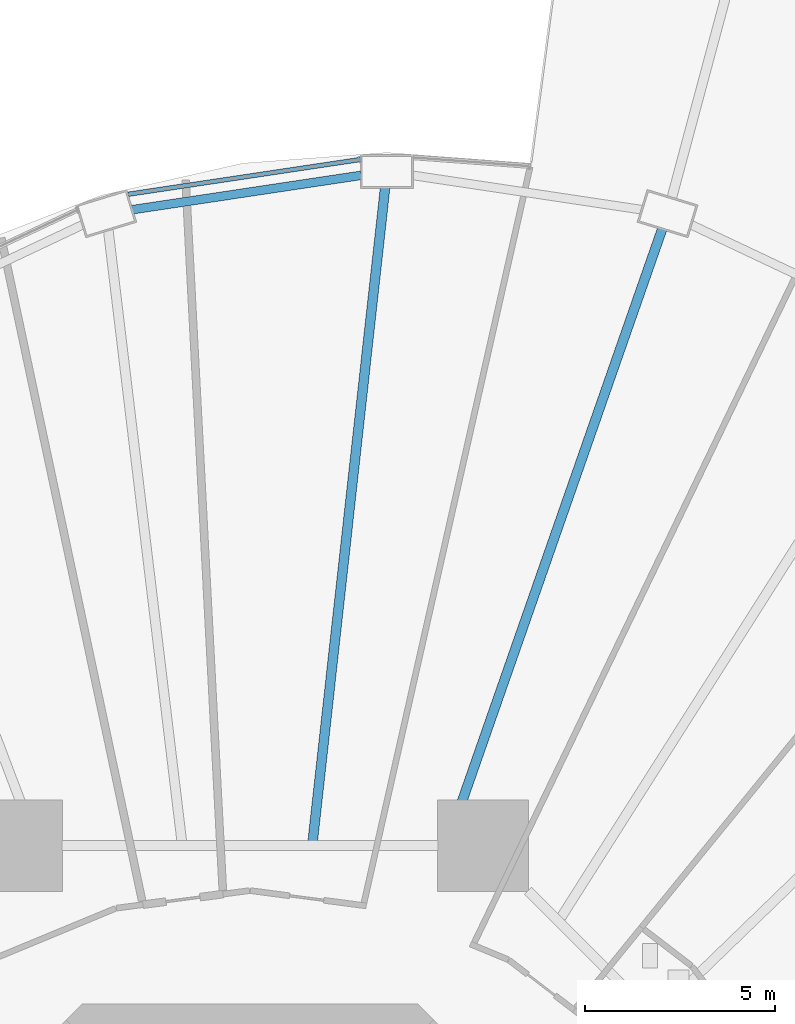
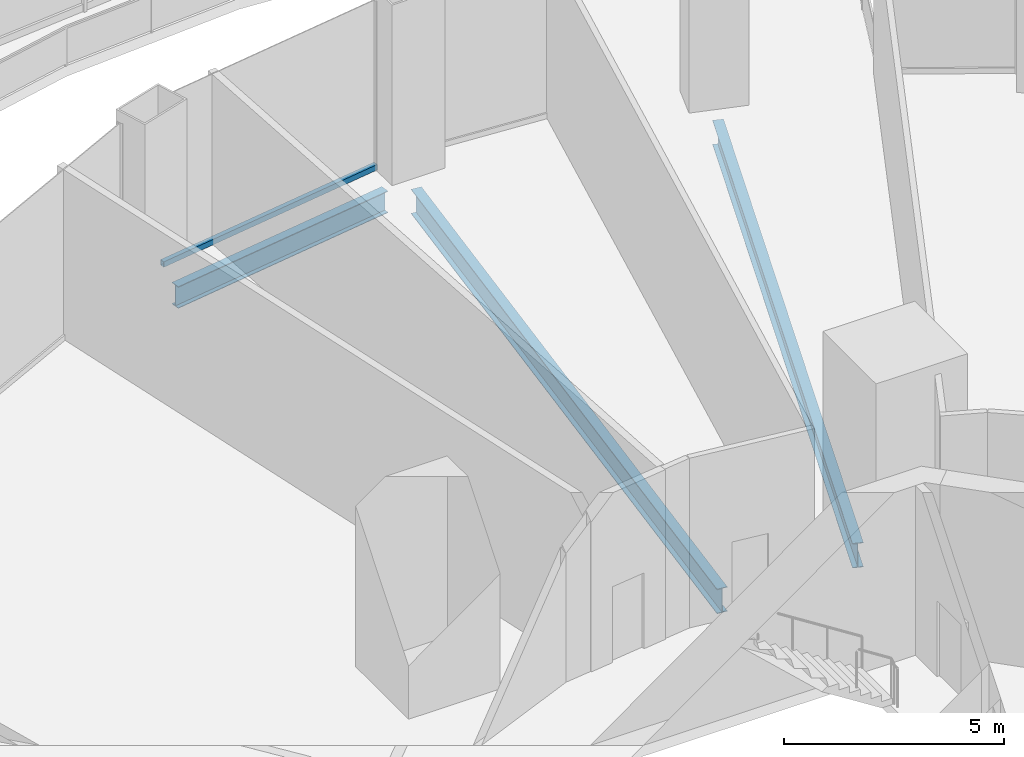
# One storey, part 33 of 47: 3 beams, 1 member, 1 element without a shape of its own.
"""IFC4 building model written with IfcOpenShell, lengths in metres."""

import ifcopenshell
import ifcopenshell.guid

model = None  # the IFC model being written
_history = None  # IfcOwnerHistory: only IFC2X3 demands one
_inside = {}  # id of a spatial element -> (the spatial element, [elements in it])
_under = {}  # id of a project, library or spatial element -> (it, [spatial elements below it])
_declared = {}  # id of a project -> (the project, [libraries it declares])
_typed = {}  # id of a type object -> (the type object, [elements of that type])
_made_of = {}  # id of a material, layer set ... -> (it, [elements and type objects made of it])


def new_model(schema):
    """Start an empty IFC model of exactly this schema.

    Asked for "IFC4X3", IfcOpenShell would pick the latest addendum, in which some entities
    have other attributes; the version numbers below select the first issue.
    IFC2X3 requires an IfcOwnerHistory on every rooted entity: one is made here for all.
    """
    global model, _history
    if schema == "IFC4X3":
        model = ifcopenshell.file(schema_version=(4, 3, 0, 0))
    else:
        model = ifcopenshell.file(schema=schema)
    _inside.clear()
    _under.clear()
    _declared.clear()
    _typed.clear()
    _made_of.clear()
    _history = None
    if model.schema == "IFC2X3":
        org = make("IfcOrganization", Name="unknown")
        user = make(
            "IfcPersonAndOrganization",
            ThePerson=make("IfcPerson", FamilyName="unknown"),
            TheOrganization=org,
        )
        app = make(
            "IfcApplication",
            ApplicationDeveloper=org,
            Version="unknown",
            ApplicationFullName="unknown",
            ApplicationIdentifier="unknown",
        )
        _history = make(
            "IfcOwnerHistory",
            OwningUser=user,
            OwningApplication=app,
            ChangeAction="ADDED",
            CreationDate=0,
        )
    return model


def make(cls, **values):
    """One entity of the class cls with the attributes given. An attribute that is None is left unset."""
    return model.create_entity(
        cls, **{name: value for name, value in values.items() if value is not None}
    )


def rooted(cls, **values):
    """An entity with a GlobalId (a new one), such as an element, a storey or a relation."""
    return make(cls, GlobalId=ifcopenshell.guid.new(), OwnerHistory=_history, **values)


def si_unit(unit_type, name, prefix=None):
    """IfcSIUnit, for example si_unit("LENGTHUNIT", "METRE", prefix="MILLI")."""
    return make("IfcSIUnit", UnitType=unit_type, Prefix=prefix, Name=name)


def assignment(units):
    """IfcUnitAssignment: the units of a project."""
    return None if units is None else make("IfcUnitAssignment", Units=units)


def point(xyz):
    """IfcCartesianPoint."""
    return None if xyz is None else make("IfcCartesianPoint", Coordinates=xyz)


def direction(xyz):
    """IfcDirection."""
    return None if xyz is None else make("IfcDirection", DirectionRatios=xyz)


def frame(location, z_axis=None, x_axis=None):
    """IfcAxis2Placement3D, a coordinate frame: its origin and axes. An axis left out is left unset."""
    return make(
        "IfcAxis2Placement3D",
        Location=point(location),
        Axis=direction(z_axis),
        RefDirection=direction(x_axis),
    )


def frame_2d(location, x_axis=None):
    """IfcAxis2Placement2D, a coordinate frame in the plane: its origin and x axis."""
    return make(
        "IfcAxis2Placement2D", Location=point(location), RefDirection=direction(x_axis)
    )


def origin():
    """The frame at (0, 0, 0) with its axes left unset."""
    return frame((0.0, 0.0, 0.0))


def origin_2d():
    """The frame at (0, 0) in the plane with its x axis left unset."""
    return frame_2d((0.0, 0.0))


def place(relative_to, where):
    """IfcLocalPlacement: puts the frame where relative to a parent placement (None: the world)."""
    return make(
        "IfcLocalPlacement", PlacementRelTo=relative_to, RelativePlacement=where
    )


def context(
    kind, dimensions, precision=None, world=None, true_north=None, identifier=None
):
    """IfcGeometricRepresentationContext, for example the 3D "Model" context."""
    return make(
        "IfcGeometricRepresentationContext",
        ContextIdentifier=identifier,
        ContextType=kind,
        CoordinateSpaceDimension=dimensions,
        Precision=precision,
        WorldCoordinateSystem=world,
        TrueNorth=true_north,
    )


def subcontext(parent, identifier, kind, view, scale=None):
    """IfcGeometricRepresentationSubContext, for example "Body" below "Model"."""
    return make(
        "IfcGeometricRepresentationSubContext",
        ContextIdentifier=identifier,
        ContextType=kind,
        ParentContext=parent,
        TargetScale=scale,
        TargetView=view,
    )


def project(units=None, contexts=None):
    """IfcProject with its units and contexts."""
    return rooted(
        "IfcProject",
        Name="project",
        RepresentationContexts=contexts,
        UnitsInContext=assignment(units),
    )


def spatial(cls, under=None, at=None, **own):
    """A site, building, storey or space (cls), placed at a placement, below another one or the project."""
    s = rooted(cls, ObjectPlacement=at, **own)
    if under is not None:
        _under.setdefault(under.id(), (under, []))[1].append(s)
    return s


def profile(cls, at=None, kind="AREA", **sizes):
    """A parametric profile (cls). Its sizes go by their IFC names, for example OverallWidth=200.0."""
    return make(cls, ProfileType=kind, Position=at, **sizes)


def hollow_rectangle(**sizes):
    """IfcRectangleHollowProfileDef."""
    return profile("IfcRectangleHollowProfileDef", **sizes)


def i_section(**sizes):
    """IfcIShapeProfileDef."""
    return profile("IfcIShapeProfileDef", **sizes)


def extrude(swept, where, along, depth):
    """IfcExtrudedAreaSolid: the profile swept, set in the frame where, extruded along a direction by depth."""
    return make(
        "IfcExtrudedAreaSolid",
        SweptArea=swept,
        Position=where,
        ExtrudedDirection=direction(along),
        Depth=depth,
    )


def shape(context_of_items, identifier, shape_type, items):
    """IfcShapeRepresentation: the items that make up one representation, for example the "Body"."""
    return make(
        "IfcShapeRepresentation",
        ContextOfItems=context_of_items,
        RepresentationIdentifier=identifier,
        RepresentationType=shape_type,
        Items=items,
    )


def material(Name=None, Category=None):
    """IfcMaterial."""
    return make("IfcMaterial", Name=Name, Category=Category)


def layer(
    of_material, thickness, ventilated=None, Name=None, Category=None, Priority=None
):
    """IfcMaterialLayer: one layer of a wall or slab, of a material (None: an air gap)."""
    return make(
        "IfcMaterialLayer",
        Material=of_material,
        LayerThickness=thickness,
        IsVentilated=ventilated,
        Name=Name,
        Category=Category,
        Priority=Priority,
    )


def layer_set(layers, Name=None):
    """IfcMaterialLayerSet."""
    return make("IfcMaterialLayerSet", MaterialLayers=layers, LayerSetName=Name)


def material_profile(
    of_material, cross_section, Name=None, Category=None, Priority=None
):
    """IfcMaterialProfile: a cross section and its material."""
    return make(
        "IfcMaterialProfile",
        Name=Name,
        Material=of_material,
        Profile=cross_section,
        Priority=Priority,
        Category=Category,
    )


def profile_set(profiles, Name=None, composite=None):
    """IfcMaterialProfileSet."""
    return make(
        "IfcMaterialProfileSet",
        Name=Name,
        MaterialProfiles=profiles,
        CompositeProfile=composite,
    )


def made_of(thing, what):
    """Note that an element or type object is made of a material, layer set ...; save() writes the relation."""
    if what is not None:
        _made_of.setdefault(what.id(), (what, []))[1].append(thing)
    return thing


def type_object(cls, material=None, **own):
    """A type object (cls), such as IfcWallType, which elements share."""
    return made_of(rooted(cls, **own), material)


def element(
    cls,
    number,
    at=None,
    inside=None,
    cuts=None,
    type_object=None,
    material=None,
    context=None,
    identifier="Body",
    shape_type=None,
    held_by="IfcProductDefinitionShape",
    body=None,
    shapes=None,
    **own,
):
    """One element of the class cls, such as IfcWall. Its Tag is "e" and its number.

    at: its placement. inside: the storey or other place that contains it. cuts: it is an
    opening in that element (IfcRelVoidsElement). A single representation is given by context,
    identifier, shape_type and body (its items); several are given by shapes. held_by: the class
    of the entity that holds the representations. save() writes the other relations.
    """
    e = rooted(cls, Tag="e%d" % number, ObjectPlacement=at, **own)
    if body is not None:
        shapes = [shape(context, identifier, shape_type, body)]
    if shapes is not None:
        e.Representation = make(held_by, Representations=shapes)
    if inside is not None:
        _inside.setdefault(inside.id(), (inside, []))[1].append(e)
    if cuts is not None:
        rooted(
            "IfcRelVoidsElement", RelatingBuildingElement=cuts, RelatedOpeningElement=e
        )
    if type_object is not None:
        _typed.setdefault(type_object.id(), (type_object, []))[1].append(e)
    return made_of(e, material)


def aggregate(whole, parts):
    """IfcRelAggregates: a whole, such as a stair, and the parts it consists of."""
    return rooted("IfcRelAggregates", RelatingObject=whole, RelatedObjects=parts)


def save(model, path):
    """Write the relations noted so far, then the file.

    IfcRelAggregates (storeys below a building ...), IfcRelContainedInSpatialStructure (elements
    in a storey), IfcRelDefinesByType, IfcRelAssociatesMaterial and IfcRelDeclares: one each for
    every whole, place, type object, material and project.
    """
    for whole, parts in _under.values():
        aggregate(whole, parts)
    for where, things in _inside.values():
        rooted(
            "IfcRelContainedInSpatialStructure",
            RelatedElements=things,
            RelatingStructure=where,
        )
    for kind, things in _typed.values():
        rooted("IfcRelDefinesByType", RelatedObjects=things, RelatingType=kind)
    for what, things in _made_of.values():
        rooted("IfcRelAssociatesMaterial", RelatedObjects=things, RelatingMaterial=what)
    for by, libraries in _declared.values():
        rooted("IfcRelDeclares", RelatingContext=by, RelatedDefinitions=libraries)
    model.write(path)


model = new_model("IFC4")

# Units and contexts
model_context = context("Model", 3, precision=1e-05, world=origin(), true_north=direction((0.0, 1.0)))
body_context = subcontext(model_context, "Body", "Model", "MODEL_VIEW")
ifc_project = project(units=[si_unit("LENGTHUNIT", "METRE"), si_unit("AREAUNIT", "SQUARE_METRE"), si_unit("VOLUMEUNIT", "CUBIC_METRE"), si_unit("PLANEANGLEUNIT", "RADIAN"), si_unit("MASSUNIT", "GRAM", prefix="KILO")], contexts=[model_context])

# Site, building, storey
site_placement = place(None, origin())
site = spatial("IfcSite", under=ifc_project, at=site_placement, CompositionType="ELEMENT")
building_placement = place(site_placement, origin())
building = spatial("IfcBuilding", under=site, at=building_placement, Name="Nagisa Residences", CompositionType="ELEMENT")
storey_placement = place(building_placement, frame((0.0, 0.0, 17.0)))
storey = spatial("IfcBuildingStorey", under=building, at=storey_placement, Name="L03", CompositionType="ELEMENT", Elevation=17.0)

# Curtain wall, member
ifc_material_1 = material(Name="Stainless steel curtain wall system", Category="steel")
ifc_layer = layer(ifc_material_1, 0.159912109375)
ifc_layer_set = layer_set([ifc_layer], Name="CW6 CURTAIN WALL")
curtain_wall_type = type_object("IfcCurtainWallType", Name="CW6 CURTAIN WALL", PredefinedType="NOTDEFINED", material=ifc_layer_set)
curtain_wall_placement = place(storey_placement, origin())
curtain_wall = element("IfcCurtainWall", 1, at=curtain_wall_placement, inside=storey, type_object=curtain_wall_type, Name="cw:CW6:L03:12", PredefinedType="NOTDEFINED")
ifc_material_2 = material(Name="Stainless steel", Category="steel")
ifc_material_profile_1 = material_profile(ifc_material_2, hollow_rectangle(XDim=0.1201171875, YDim=0.14990234375, WallThickness=0.008056640625, at=origin_2d()), Name="CW6 TRANSOM 120x150")
ifc_profile_set_1 = profile_set([ifc_material_profile_1], Name="Stainless steel")
member_type = type_object("IfcMemberType", Name="CW6 TRANSOM 120x150", PredefinedType="USERDEFINED", material=ifc_profile_set_1)
member_placement = place(storey_placement, frame((2.919677734375, 32.817138671875, 0.074951171875), z_axis=(-0.988964976725, -0.148149501559, 0.0), x_axis=(0.148149501559, -0.988964976725, 0.0)))
member = element("IfcMember", 2, at=member_placement, type_object=member_type, Name="CW6 transom", ObjectType="TRANSOM", PredefinedType="USERDEFINED", context=body_context, shape_type="SweptSolid", body=[
    extrude(hollow_rectangle(XDim=0.1201171875, YDim=0.14990234375, WallThickness=0.008056640625, at=origin_2d()), origin(), (0.0, 0.0, 1.0), 6.189697265625),
])
aggregate(curtain_wall, [member])

# Beams
ifc_material_3 = material(Name="Steel ASTM A572 Gr 50", Category="steel")
ifc_material_profile_2 = material_profile(ifc_material_3, i_section(OverallWidth=0.22802734375, OverallDepth=0.60302734375, WebThickness=0.010498046875, FlangeThickness=0.014892578125, at=origin_2d()), Name="W610x101")
ifc_profile_set_2 = profile_set([ifc_material_profile_2], Name="Steel ASTM A572 Gr 50")
beam_type_1 = type_object("IfcBeamType", Name="Perimeter ring beam W610x101", PredefinedType="BEAM", material=ifc_profile_set_2)
beam_1_placement = place(storey_placement, frame((2.919677734375, 32.39794921875, -0.6015625), z_axis=(-0.988914559467, -0.14848566959, 0.0), x_axis=(0.14848566959, -0.988914559467, 0.0)))
element("IfcBeam", 3, at=beam_1_placement, inside=storey, type_object=beam_type_1, Name="beam:L03:pb07", PredefinedType="BEAM", context=body_context, shape_type="SweptSolid", body=[
    extrude(i_section(OverallWidth=0.22802734375, OverallDepth=0.60302734375, WebThickness=0.010498046875, FlangeThickness=0.014892578125, at=origin_2d()), origin(), (0.0, 0.0, 1.0), 6.08349609375),
])
ifc_material_4 = material(Name="Steel ASTM A572 Gr 50", Category="steel")
ifc_material_profile_3 = material_profile(ifc_material_4, i_section(OverallWidth=0.25390625, OverallDepth=0.68408203125, WebThickness=0.012451171875, FlangeThickness=0.018798828125, at=origin_2d()), Name="W690x140")
ifc_profile_set_3 = profile_set([ifc_material_profile_3], Name="Steel ASTM A572 Gr 50")
beam_type_2 = type_object("IfcBeamType", Name="Radial beam W690x140", PredefinedType="BEAM", material=ifc_profile_set_3)
beam_2_placement = place(storey_placement, frame((10.834228515625, 30.986328125, -0.64208984375), z_axis=(-0.330051195485, -0.943963033364, 0.0), x_axis=(0.943963033364, -0.330051195485, 0.0)))
element("IfcBeam", 4, at=beam_2_placement, inside=storey, type_object=beam_type_2, Name="beam:L03:rb06", PredefinedType="BEAM", context=body_context, shape_type="SweptSolid", body=[
    extrude(i_section(OverallWidth=0.25390625, OverallDepth=0.68408203125, WebThickness=0.012451171875, FlangeThickness=0.018798828125, at=origin_2d()), origin(), (0.0, 0.0, 1.0), 17.045654296875),
])
beam_3_placement = place(storey_placement, frame((3.55224609375, 32.06982421875, -0.64208984375), z_axis=(-0.110088818647, -0.993921753464, 0.0), x_axis=(0.993921753464, -0.110088818647, 0.0)))
element("IfcBeam", 5, at=beam_3_placement, inside=storey, type_object=beam_type_2, Name="beam:L03:rb07", PredefinedType="BEAM", context=body_context, shape_type="SweptSolid", body=[
    extrude(i_section(OverallWidth=0.25390625, OverallDepth=0.68408203125, WebThickness=0.012451171875, FlangeThickness=0.018798828125, at=origin_2d()), origin(), (0.0, 0.0, 1.0), 17.280029296875),
])

save(model, "model.ifc")
